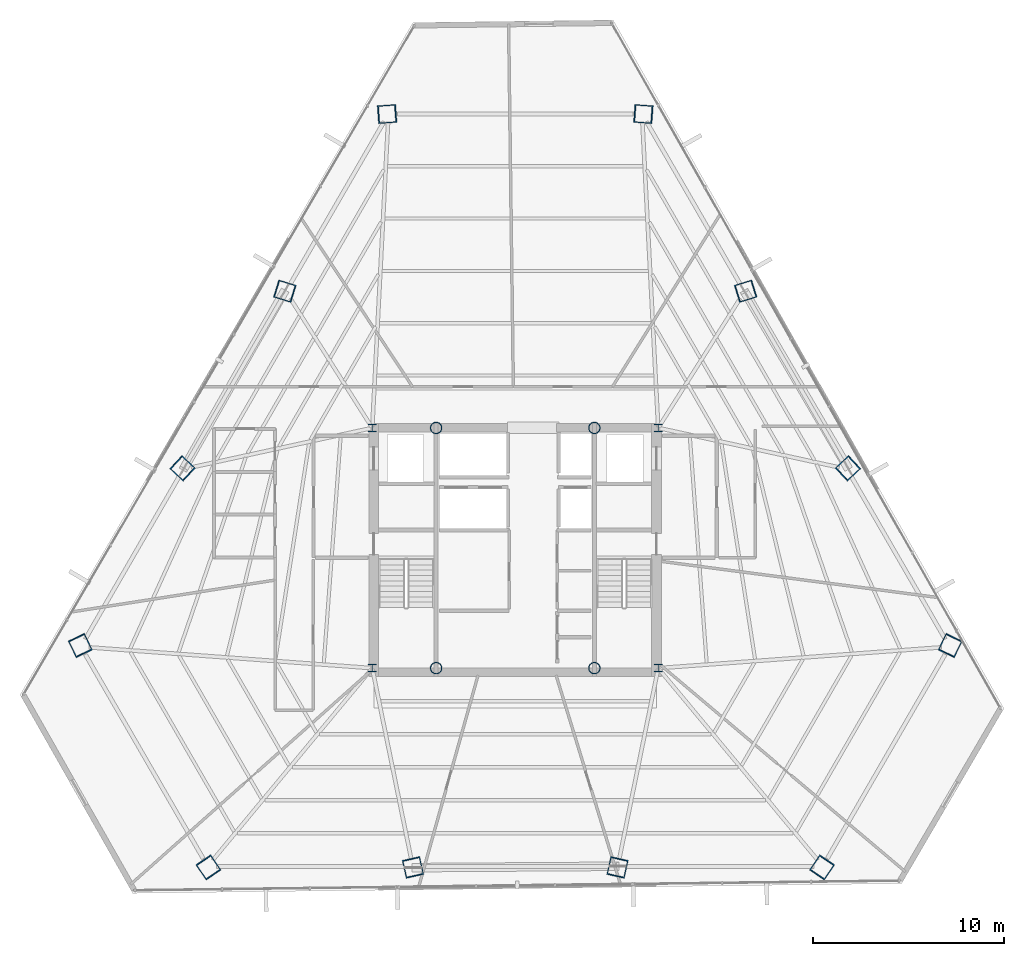
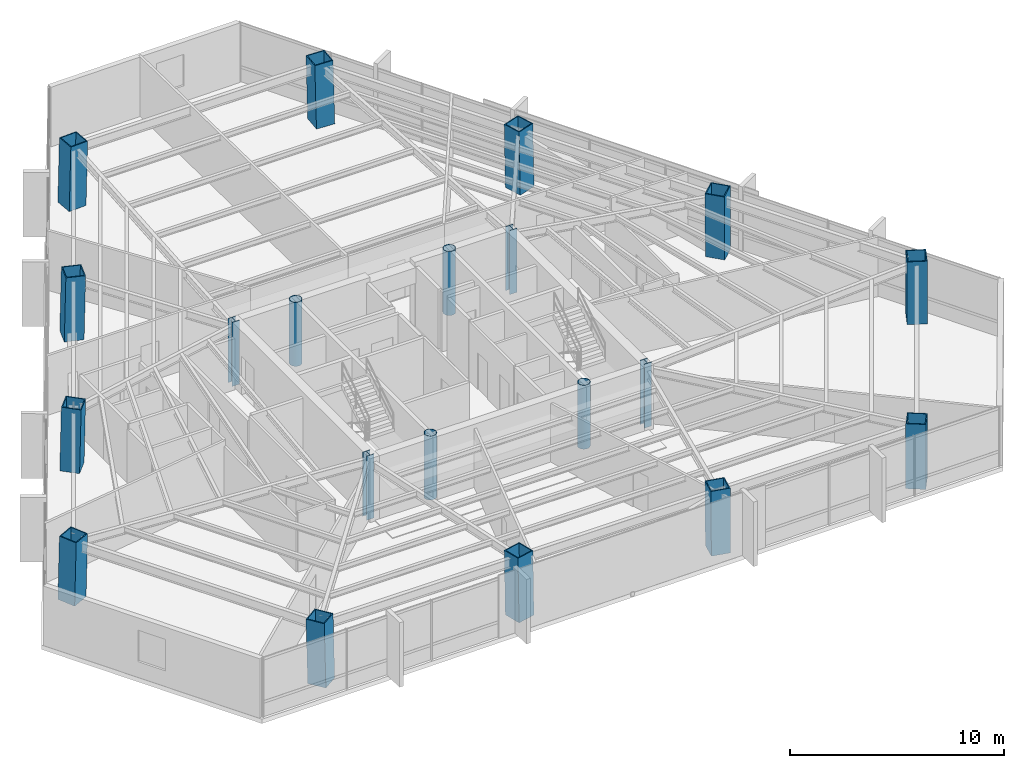
# One storey, part 1 of 41: 20 columns.
"""IFC4 building model written with IfcOpenShell, lengths in metres."""

from ifc_helpers import new_model, si_unit, direction, frame, origin, origin_2d, place, context, subcontext, project, spatial, hollow_rectangle, hollow_circle, i_section, extrude, source, transform, mapped, material, material_profile, profile_set, type_object, type_shapes, element, save


model = new_model("IFC4")

# Units and contexts
model_context = context("Model", 3, precision=1e-05, world=origin(), true_north=direction((0.0, 1.0)))
body_context = subcontext(model_context, "Body", "Model", "MODEL_VIEW")
ifc_project = project(units=[si_unit("LENGTHUNIT", "METRE"), si_unit("AREAUNIT", "SQUARE_METRE"), si_unit("VOLUMEUNIT", "CUBIC_METRE"), si_unit("PLANEANGLEUNIT", "RADIAN"), si_unit("MASSUNIT", "GRAM", prefix="KILO")], contexts=[model_context])

# Site, building, storey
site_placement = place(None, origin())
site = spatial("IfcSite", under=ifc_project, at=site_placement, CompositionType="ELEMENT")
building_placement = place(site_placement, origin())
building = spatial("IfcBuilding", under=site, at=building_placement, Name="Caelisora Broadcast Tower", CompositionType="ELEMENT")
storey_placement = place(building_placement, frame((0.0, 0.0, 135.449951171875)))
storey = spatial("IfcBuildingStorey", under=building, at=storey_placement, Name="L35", CompositionType="ELEMENT", Elevation=135.449951171875)

# Columns
ifc_material_1 = material(Name="Steel Grade 350 (AS/NZS 3679.2)", Category="steel")
ifc_material_profile_1 = material_profile(ifc_material_1, i_section(OverallWidth=0.39990234375, OverallDepth=0.39990234375, WebThickness=0.02001953125, FlangeThickness=0.031982421875, at=origin_2d()), Name="Steel Grade 350 (AS/NZS 3679.2)")
ifc_profile_set_1 = profile_set([ifc_material_profile_1], Name="Steel Grade 350 (AS/NZS 3679.2)")
column_type_1 = type_object("IfcColumnType", Name="CC02", PredefinedType="COLUMN", material=ifc_profile_set_1)
shared_shape_1 = source(origin(), body_context, "Body", "SweptSolid", [
    extrude(i_section(OverallWidth=0.39990234375, OverallDepth=0.39990234375, WebThickness=0.02001953125, FlangeThickness=0.031982421875, at=origin_2d()), origin(), (0.0, 0.0, 1.0), 3.650146484375),
])
type_shapes(column_type_1, [shared_shape_1])
for number, where, z_axis, x_axis, name in (
    (1, (30.5, 17.39990234375, 0.0), (0.0, 0.0, 1.0), (1.0, 0.0, 0.0), "L35 column CC02"),
    (2, (45.5, 17.39990234375, 0.0), (0.0, 0.0, 1.0), (1.0, 0.0, 0.0), "L35 column CC02"),
    (3, (45.5, 30.0, 0.0), (0.0, 0.0, 1.0), (1.0, 0.0, 0.0), "L35 column CC02"),
    (4, (30.5, 30.0, 0.0), (0.0, 0.0, 1.0), (1.0, 0.0, 0.0), "L35 column CC02"),
):
    element("IfcColumn", number, at=place(storey_placement, frame(where, z_axis=z_axis, x_axis=x_axis)), inside=storey, type_object=column_type_1, Name=name, PredefinedType="COLUMN", context=body_context, shape_type="MappedRepresentation", body=[
        mapped(shared_shape_1, transform((0.0, 0.0, 0.0), scale=1.0)),
    ])
ifc_material_2 = material(Name="Steel Grade 350 L15 (AS/NZS 3678)", Category="steel")
ifc_material_profile_2 = material_profile(ifc_material_2, hollow_circle(Radius=0.304931640625, WallThickness=0.02490234375, at=origin_2d()), Name="Steel Grade 350 L15 (AS/NZS 3678)")
ifc_profile_set_2 = profile_set([ifc_material_profile_2], Name="Steel Grade 350 L15 (AS/NZS 3678)")
column_type_2 = type_object("IfcColumnType", Name="CC06", PredefinedType="COLUMN", material=ifc_profile_set_2)
shared_shape_2 = source(origin(), body_context, "Body", "SweptSolid", [
    extrude(hollow_circle(Radius=0.304931640625, WallThickness=0.02490234375, at=origin_2d()), origin(), (0.0, 0.0, 1.0), 3.650146484375),
])
type_shapes(column_type_2, [shared_shape_2])
for number, where, z_axis, x_axis, name in (
    (5, (33.85009765625, 17.39990234375, 0.0), (0.0, 0.0, 1.0), (1.0, 0.0, 0.0), "L35 column CC06"),
    (6, (42.14990234375, 17.39990234375, 0.0), (0.0, 0.0, 1.0), (1.0, 0.0, 0.0), "L35 column CC06"),
    (7, (33.85009765625, 30.0, 0.0), (0.0, 0.0, 1.0), (1.0, 0.0, 0.0), "L35 column CC06"),
    (8, (42.14990234375, 30.0, 0.0), (0.0, 0.0, 1.0), (1.0, 0.0, 0.0), "L35 column CC06"),
):
    element("IfcColumn", number, at=place(storey_placement, frame(where, z_axis=z_axis, x_axis=x_axis)), inside=storey, type_object=column_type_2, Name=name, PredefinedType="COLUMN", context=body_context, shape_type="MappedRepresentation", body=[
        mapped(shared_shape_2, transform((0.0, 0.0, 0.0), scale=1.0)),
    ])
ifc_material_profile_3 = material_profile(ifc_material_2, hollow_rectangle(XDim=0.949951171875, YDim=0.949951171875, WallThickness=0.050048828125, at=origin_2d()), Name="Steel Grade 350 L15 (AS/NZS 3678)")
ifc_profile_set_3 = profile_set([ifc_material_profile_3], Name="Steel Grade 350 L15 (AS/NZS 3678)")
column_type_3 = type_object("IfcColumnType", Name="MC04", PredefinedType="COLUMN", material=ifc_profile_set_3)
shared_shape_3 = source(origin(), body_context, "Body", "SweptSolid", [
    extrude(hollow_rectangle(XDim=0.949951171875, YDim=0.949951171875, WallThickness=0.050048828125, at=origin_2d()), origin(), (0.0, 0.0, 1.0), 3.65087890625),
])
for number, where, z_axis, x_axis, name in (
    (9, (25.9033203125, 37.17529296875, 0.0), (0.01939269685, -0.00601842316, 0.999793829693), (0.296399214872, 0.955064136811, 0.0), "L35 column MC04"),
    (10, (20.54150390625, 27.888671875, 0.0), (0.014912302561, -0.01384236157, 0.999792984702), (0.680325028146, 0.732910537568, 0.0), "L35 column MC04"),
    (11, (32.638427734375, 6.936279296875, 0.0), (-0.004480382638, 0.019793929266, 0.999794042058), (-0.975326687046, -0.220766513622, 0.0), "L35 column MC04"),
    (12, (43.361572265625, 6.936279296875, 0.0), (0.004480382638, 0.019793929266, 0.999794042058), (-0.975326687046, 0.220766513622, 0.0), "L35 column MC04"),
    (13, (55.45849609375, 27.888671875, 0.0), (-0.014912302561, -0.01384236157, 0.999792984702), (0.680325028146, -0.732910537568, 0.0), "L35 column MC04"),
    (14, (50.0966796875, 37.17529296875, 0.0), (-0.01939269685, -0.00601842316, 0.999793829693), (0.296399214872, -0.955064136811, 0.0), "L35 column MC04"),
):
    element("IfcColumn", number, at=place(storey_placement, frame(where, z_axis=z_axis, x_axis=x_axis)), inside=storey, type_object=column_type_3, Name=name, PredefinedType="COLUMN", context=body_context, shape_type="MappedRepresentation", body=[
        mapped(shared_shape_3, transform((0.0, 0.0, 0.0), scale=1.0)),
    ])
shared_shape_4 = source(origin(), body_context, "Body", "SweptSolid", [
    extrude(hollow_rectangle(XDim=0.949951171875, YDim=0.949951171875, WallThickness=0.050048828125, at=origin_2d()), origin(), (0.0, 0.0, 1.0), 3.651123046875),
])
type_shapes(column_type_3, [shared_shape_3, shared_shape_4])
for number, where, z_axis, x_axis, name in (
    (15, (44.735107421875, 46.4619140625, 0.0), (-0.023871161178, 0.00173851594, 0.999713531581), (-0.07263675076, -0.997358462359, 0.0), "L35 column MC04"),
    (16, (31.264892578125, 46.4619140625, 0.0), (0.023871161178, 0.00173851594, 0.999713531581), (-0.07263675076, 0.997358462359, 0.0), "L35 column MC04"),
    (17, (15.179931640625, 18.60205078125, 0.0), (0.010431083049, -0.021597691184, 0.999712324742), (0.900476348161, 0.434904985489, 0.0), "L35 column MC04"),
    (18, (21.9150390625, 6.936279296875, 0.0), (-0.013440068782, 0.019792340097, 0.999713772949), (-0.827290216258, -0.561774775229, 0.0), "L35 column MC04"),
    (19, (54.0849609375, 6.936279296875, 0.0), (0.013440068782, 0.019792340097, 0.999713772949), (-0.827290216258, 0.561774775229, 0.0), "L35 column MC04"),
    (20, (60.820068359375, 18.60205078125, 0.0), (-0.010431083049, -0.021597691184, 0.999712324742), (0.900476348161, -0.434904985489, 0.0), "L35 column MC04"),
):
    element("IfcColumn", number, at=place(storey_placement, frame(where, z_axis=z_axis, x_axis=x_axis)), inside=storey, type_object=column_type_3, Name=name, PredefinedType="COLUMN", context=body_context, shape_type="MappedRepresentation", body=[
        mapped(shared_shape_4, transform((0.0, 0.0, 0.0), scale=1.0)),
    ])

save(model, "model.ifc")
